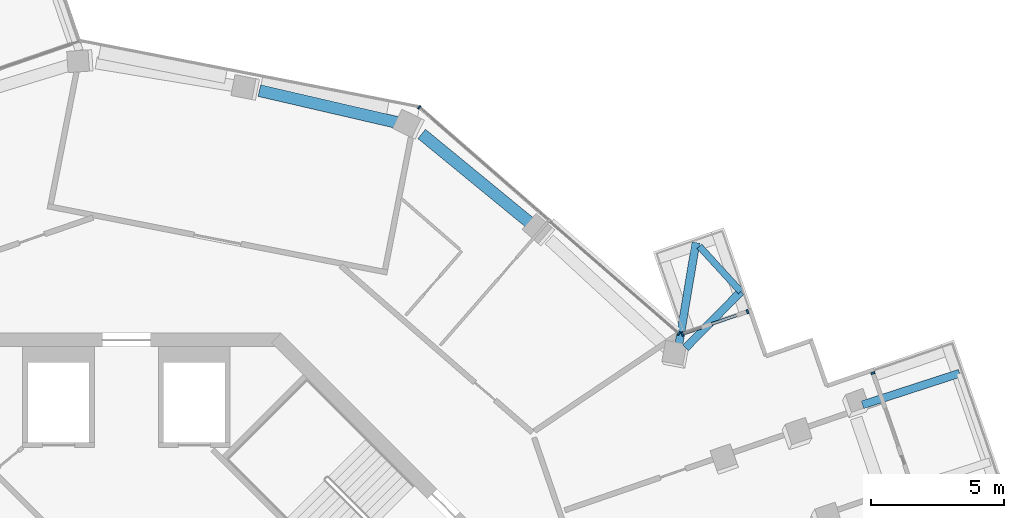
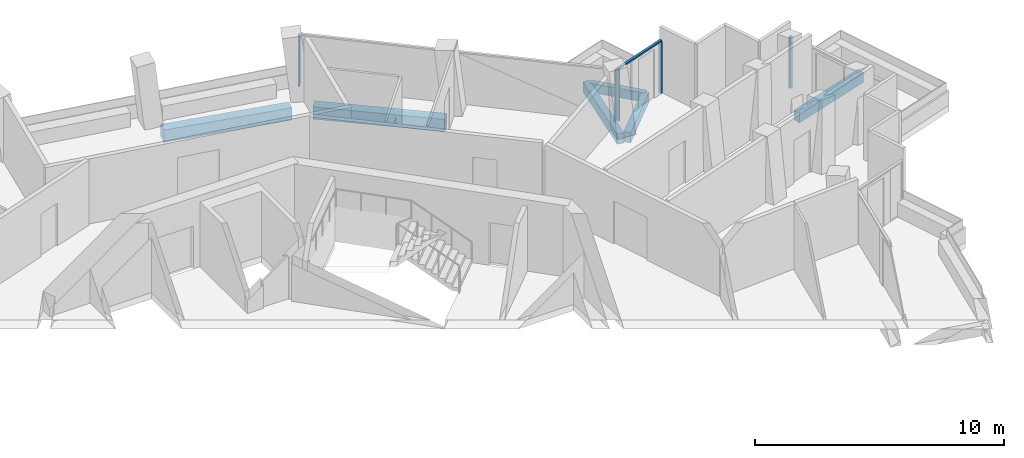
# One storey, part 9 of 22: 6 beams, 6 members, 3 elements without a shape of their own.
"""IFC4 building model written with IfcOpenShell, lengths in metres."""

from ifc_helpers import new_model, si_unit, direction, frame, origin, origin_2d, place, context, subcontext, project, spatial, rectangle, extrude, material, layer, layer_set, material_profile, profile_set, type_object, element, aggregate, save


model = new_model("IFC4")

# Units and contexts
model_context = context("Model", 3, precision=1e-05, world=origin(), true_north=direction((0.0, 1.0)))
body_context = subcontext(model_context, "Body", "Model", "MODEL_VIEW")
ifc_project = project(units=[si_unit("LENGTHUNIT", "METRE"), si_unit("AREAUNIT", "SQUARE_METRE"), si_unit("VOLUMEUNIT", "CUBIC_METRE"), si_unit("PLANEANGLEUNIT", "RADIAN"), si_unit("MASSUNIT", "GRAM", prefix="KILO")], contexts=[model_context])

# Site, building, storey
site_placement = place(None, origin())
site = spatial("IfcSite", under=ifc_project, at=site_placement, CompositionType="ELEMENT")
building_placement = place(site_placement, origin())
building = spatial("IfcBuilding", under=site, at=building_placement, Name="Verdalira Terraces Hotel", CompositionType="ELEMENT")
storey_placement = place(building_placement, frame((0.0, 0.0, 234.0)))
storey = spatial("IfcBuildingStorey", under=building, at=storey_placement, Name="L57", CompositionType="ELEMENT", Elevation=234.0)

# Beams
ifc_material_1 = material(Name="Concrete C40", Category="concrete")
ifc_material_profile_1 = material_profile(ifc_material_1, rectangle(XDim=0.300049, YDim=0.5, at=origin_2d()), Name="RC 300X500")
ifc_profile_set_1 = profile_set([ifc_material_profile_1], Name="Concrete C40")
beam_type_1 = type_object("IfcBeamType", Name="Balcony cantilever beam RC 300X500 C40", PredefinedType="BEAM", material=ifc_profile_set_1)
beam_1_placement = place(storey_placement, frame((27.656738, 11.310547, -0.560059), z_axis=(0.951043894, 0.309055839, 0.0), x_axis=(-0.309055839, 0.951043894, 0.0)))
element("IfcBeam", 1, at=beam_1_placement, inside=storey, type_object=beam_type_1, Name="Balcony cantilever beam R33-2", PredefinedType="BEAM", context=body_context, shape_type="SweptSolid", body=[
    extrude(rectangle(XDim=0.300049, YDim=0.5, at=origin_2d()), origin(), (0.0, 0.0, 1.0), 3.834473),
])
beam_2_placement = place(storey_placement, frame((21.009521, 13.452393, -0.560059), z_axis=(0.701011906, 0.713149568, 0.0), x_axis=(-0.713149568, 0.701011906, 0.0)))
element("IfcBeam", 2, at=beam_2_placement, inside=storey, type_object=beam_type_1, Name="Balcony cantilever beam R38-1", PredefinedType="BEAM", context=body_context, shape_type="SweptSolid", body=[
    extrude(rectangle(XDim=0.300049, YDim=0.5, at=origin_2d()), origin(), (0.0, 0.0, 1.0), 2.956787),
])
beam_3_placement = place(storey_placement, frame((20.743164, 13.509033, -0.560059), z_axis=(0.165210778, 0.986258282, 0.0), x_axis=(-0.986258282, 0.165210778, 0.0)))
element("IfcBeam", 3, at=beam_3_placement, inside=storey, type_object=beam_type_1, Name="Balcony cantilever beam R38-2", PredefinedType="BEAM", context=body_context, shape_type="SweptSolid", body=[
    extrude(rectangle(XDim=0.300049, YDim=0.5, at=origin_2d()), origin(), (0.0, 0.0, 1.0), 3.949951),
])
ifc_material_2 = material(Name="Concrete C40", Category="concrete")
ifc_material_profile_2 = material_profile(ifc_material_2, rectangle(XDim=0.25, YDim=0.449951, at=origin_2d()), Name="RC 250X450")
ifc_profile_set_2 = profile_set([ifc_material_profile_2], Name="Concrete C40")
beam_type_2 = type_object("IfcBeamType", Name="Balcony edge beam RC 250X450 C40", PredefinedType="BEAM", material=ifc_profile_set_2)
beam_4_placement = place(storey_placement, frame((23.082275, 15.561035, -0.534912), z_axis=(-0.674886055, 0.737921956, 0.0), x_axis=(-0.737921956, -0.674886055, 0.0)))
element("IfcBeam", 4, at=beam_4_placement, inside=storey, type_object=beam_type_2, Name="Balcony edge beam R38-1", PredefinedType="BEAM", context=body_context, shape_type="SweptSolid", body=[
    extrude(rectangle(XDim=0.25, YDim=0.449951, at=origin_2d()), origin(), (0.0, 0.0, 1.0), 2.30835),
])

# Curtain wall, members
ifc_material_3 = material(Name="Clear glass", Category="glass")
ifc_layer_1 = layer(ifc_material_3, 0.14990234375)
ifc_layer_set_1 = layer_set([ifc_layer_1], Name="CW1 curtain wall")
curtain_wall_type_1 = type_object("IfcCurtainWallType", Name="CW1 curtain wall", PredefinedType="NOTDEFINED", material=ifc_layer_set_1)
curtain_wall_1_placement = place(storey_placement, origin())
curtain_wall_1 = element("IfcCurtainWall", 5, at=curtain_wall_1_placement, inside=storey, type_object=curtain_wall_type_1, Name="CW1 curtain wall L57 edge 39", PredefinedType="NOTDEFINED")
ifc_material_4 = material(Name="Terracotta frame", Category="masonry")
ifc_material_profile_3 = material_profile(ifc_material_4, rectangle(XDim=0.060059, YDim=0.149902, at=origin_2d()), Name="MU 60x150")
ifc_profile_set_3 = profile_set([ifc_material_profile_3], Name="Terracotta frame")
member_type_1 = type_object("IfcMemberType", Name="CW1 mullion 60x150", PredefinedType="MULLION", material=ifc_profile_set_3)
member_1_placement = place(storey_placement, frame((20.758545, 13.992188, 0.0), z_axis=(0.0, 0.0, 1.0), x_axis=(-0.754251381, 0.656585756, 0.0)))
member_1 = element("IfcMember", 6, at=member_1_placement, type_object=member_type_1, Name="CW1 mullion", PredefinedType="MULLION", context=body_context, shape_type="SweptSolid", body=[
    extrude(rectangle(XDim=0.060059, YDim=0.149902, at=origin_2d()), origin(), (0.0, 0.0, 1.0), 2.524902),
])
member_2_placement = place(storey_placement, frame((10.998535, 22.488525, 0.0), z_axis=(0.0, 0.0, 1.0), x_axis=(-0.754251381, 0.656585756, 0.0)))
member_2 = element("IfcMember", 7, at=member_2_placement, type_object=member_type_1, Name="CW1 mullion", PredefinedType="MULLION", context=body_context, shape_type="SweptSolid", body=[
    extrude(rectangle(XDim=0.060059, YDim=0.149902, at=origin_2d()), origin(), (0.0, 0.0, 1.0), 2.524902),
])
aggregate(curtain_wall_1, [member_1, member_2])

ifc_material_5 = material(Name="Clear glass", Category="glass")
ifc_layer_2 = layer(ifc_material_5, 0.14990234375)
ifc_layer_set_2 = layer_set([ifc_layer_2], Name="CW2 curtain wall")
curtain_wall_type_2 = type_object("IfcCurtainWallType", Name="CW2 curtain wall", PredefinedType="NOTDEFINED", material=ifc_layer_set_2)
curtain_wall_2_placement = place(storey_placement, origin())
curtain_wall_2 = element("IfcCurtainWall", 8, at=curtain_wall_2_placement, inside=storey, type_object=curtain_wall_type_2, Name="CW2 curtain wall L57 edge 38", PredefinedType="NOTDEFINED")
ifc_material_6 = material(Name="Terracotta frame", Category="masonry")
ifc_material_profile_4 = material_profile(ifc_material_6, rectangle(XDim=0.070068, YDim=0.149902, at=origin_2d()), Name="MU 70x150")
ifc_profile_set_4 = profile_set([ifc_material_profile_4], Name="Terracotta frame")
member_type_2 = type_object("IfcMemberType", Name="CW2 mullion 70x150", PredefinedType="MULLION", material=ifc_profile_set_4)
member_3_placement = place(storey_placement, frame((23.333984, 14.809814, 0.0), z_axis=(0.0, 0.0, 1.0), x_axis=(-0.945745635, -0.324907979, 0.0)))
member_3 = element("IfcMember", 9, at=member_3_placement, type_object=member_type_2, Name="CW2 mullion", PredefinedType="MULLION", context=body_context, shape_type="SweptSolid", body=[
    extrude(rectangle(XDim=0.070068, YDim=0.149902, at=origin_2d()), origin(), (0.0, 0.0, 1.0), 2.524902),
])
member_4_placement = place(storey_placement, frame((20.887695, 13.969482, 0.0), z_axis=(0.0, 0.0, 1.0), x_axis=(-0.945745635, -0.324907979, 0.0)))
member_4 = element("IfcMember", 10, at=member_4_placement, type_object=member_type_2, Name="CW2 mullion", PredefinedType="MULLION", context=body_context, shape_type="SweptSolid", body=[
    extrude(rectangle(XDim=0.070068, YDim=0.149902, at=origin_2d()), origin(), (0.0, 0.0, 1.0), 2.524902),
])
ifc_material_7 = material(Name="Terracotta frame", Category="masonry")
ifc_material_profile_5 = material_profile(ifc_material_7, rectangle(XDim=0.11499, YDim=0.064941, at=origin_2d()), Name="TR 65x115")
ifc_profile_set_5 = profile_set([ifc_material_profile_5], Name="Terracotta frame")
member_type_3 = type_object("IfcMemberType", Name="CW2 transom 65x115", PredefinedType="USERDEFINED", material=ifc_profile_set_5)
member_5_placement = place(storey_placement, frame((23.367188, 14.821289, 2.557617), z_axis=(-0.945758091, -0.324871718, 0.0), x_axis=(0.324871718, -0.945758091, 0.0)))
member_5 = element("IfcMember", 11, at=member_5_placement, type_object=member_type_3, Name="CW2 transom", ObjectType="TRANSOM", PredefinedType="USERDEFINED", context=body_context, shape_type="SweptSolid", body=[
    extrude(rectangle(XDim=0.11499, YDim=0.064941, at=origin_2d()), origin(), (0.0, 0.0, 1.0), 2.656494),
])
aggregate(curtain_wall_2, [member_3, member_4, member_5])

# Curtain wall, member
ifc_material_8 = material(Name="Clear glass", Category="glass")
ifc_layer_3 = layer(ifc_material_8, 0.14990234375)
ifc_layer_set_3 = layer_set([ifc_layer_3], Name="CW3 curtain wall")
curtain_wall_type_3 = type_object("IfcCurtainWallType", Name="CW3 curtain wall", PredefinedType="NOTDEFINED", material=ifc_layer_set_3)
curtain_wall_3_placement = place(storey_placement, origin())
curtain_wall_3 = element("IfcCurtainWall", 12, at=curtain_wall_3_placement, inside=storey, type_object=curtain_wall_type_3, Name="CW3 curtain wall L57 edge 33", PredefinedType="NOTDEFINED")
ifc_material_9 = material(Name="Terracotta frame", Category="masonry")
ifc_material_profile_6 = material_profile(ifc_material_9, rectangle(XDim=0.080078, YDim=0.149902, at=origin_2d()), Name="MU 80x150")
ifc_profile_set_6 = profile_set([ifc_material_profile_6], Name="Terracotta frame")
member_type_4 = type_object("IfcMemberType", Name="CW3 mullion 80x150", PredefinedType="MULLION", material=ifc_profile_set_6)
member_6_placement = place(storey_placement, frame((28.049805, 12.501953, 0.0), z_axis=(0.0, 0.0, 1.0), x_axis=(-0.324907979, 0.945745635, 0.0)))
member_6 = element("IfcMember", 13, at=member_6_placement, type_object=member_type_4, Name="CW3 mullion", PredefinedType="MULLION", context=body_context, shape_type="SweptSolid", body=[
    extrude(rectangle(XDim=0.080078, YDim=0.149902, at=origin_2d()), origin(), (0.0, 0.0, 1.0), 2.524902),
])
aggregate(curtain_wall_3, [member_6])

# Beams
ifc_material_10 = material(Name="Concrete C40", Category="concrete")
ifc_material_profile_7 = material_profile(ifc_material_10, rectangle(XDim=0.449951, YDim=0.600098, at=origin_2d()), Name="RC 450X600")
ifc_profile_set_7 = profile_set([ifc_material_profile_7], Name="Concrete C40")
beam_type_3 = type_object("IfcBeamType", Name="Spandrel beam RC 450X600 C40", PredefinedType="SPANDREL", material=ifc_profile_set_7)
beam_5_placement = place(storey_placement, frame((15.262451, 18.063721, -0.610107), z_axis=(-0.772893511, 0.634535752, 0.0), x_axis=(-0.634535752, -0.772893511, 0.0)))
element("IfcBeam", 14, at=beam_5_placement, inside=storey, type_object=beam_type_3, Name="Spandrel beam B19", PredefinedType="SPANDREL", context=body_context, shape_type="SweptSolid", body=[
    extrude(rectangle(XDim=0.449951, YDim=0.600098, at=origin_2d()), origin(), (0.0, 0.0, 1.0), 5.394287),
])
beam_6_placement = place(storey_placement, frame((10.252686, 21.898193, -0.610107), z_axis=(-0.974250717, 0.225467384, 0.0), x_axis=(-0.225467384, -0.974250717, 0.0)))
element("IfcBeam", 15, at=beam_6_placement, inside=storey, type_object=beam_type_3, Name="Spandrel beam B20", PredefinedType="SPANDREL", context=body_context, shape_type="SweptSolid", body=[
    extrude(rectangle(XDim=0.449951, YDim=0.600098, at=origin_2d()), origin(), (0.0, 0.0, 1.0), 5.396729),
])

save(model, "model.ifc")
